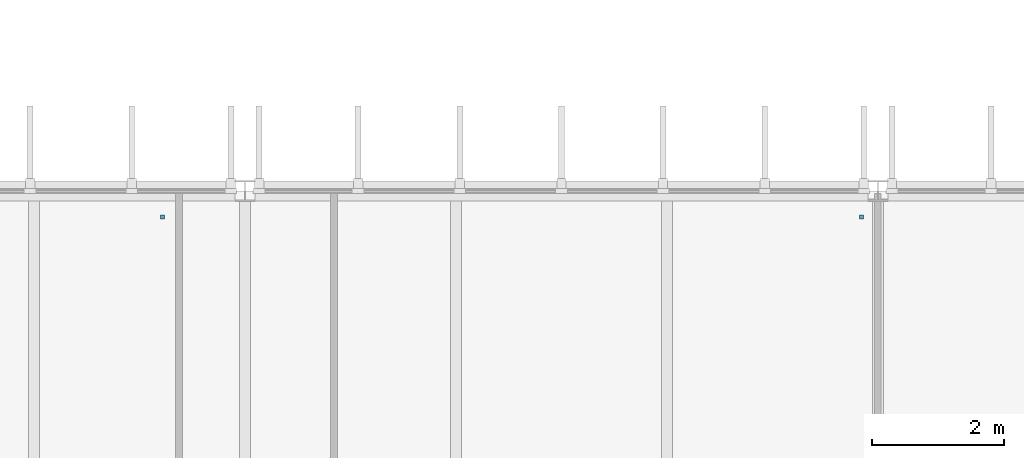
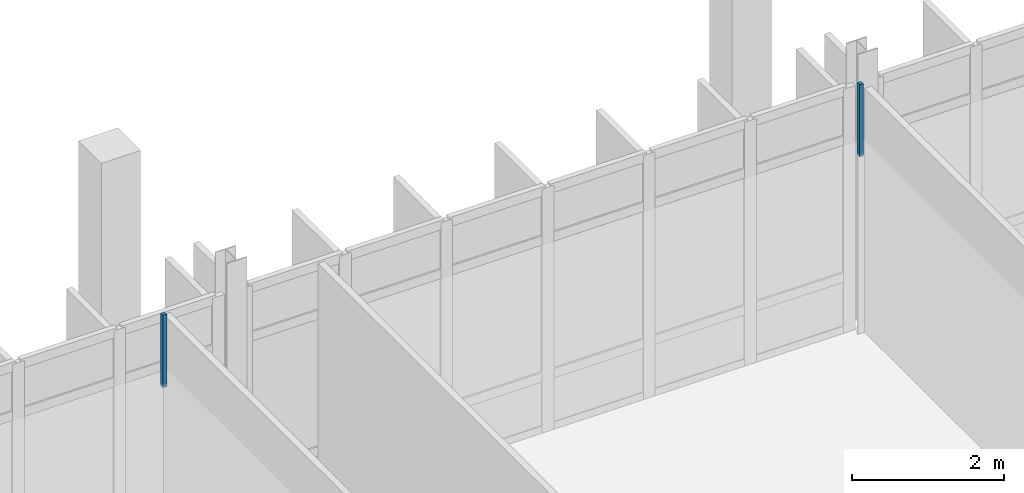
# One storey, part 78 of 110: 2 discrete accessories.
"""IFC4 building model written with IfcOpenShell, lengths in metres."""

from ifc_helpers import new_model, si_unit, direction, frame, origin, place, context, subcontext, project, spatial, polyline, outline, extrude, material, type_object, element, save


model = new_model("IFC4")

# Units and contexts
model_context = context("Model", 3, precision=1e-05, world=origin(), true_north=direction((0.0, 1.0)))
body_context = subcontext(model_context, "Body", "Model", "MODEL_VIEW")
ifc_project = project(units=[si_unit("LENGTHUNIT", "METRE"), si_unit("AREAUNIT", "SQUARE_METRE"), si_unit("VOLUMEUNIT", "CUBIC_METRE"), si_unit("PLANEANGLEUNIT", "RADIAN"), si_unit("MASSUNIT", "GRAM", prefix="KILO")], contexts=[model_context])

# Site, building, storey
site_placement = place(None, origin())
site = spatial("IfcSite", under=ifc_project, at=site_placement, CompositionType="ELEMENT")
building_placement = place(site_placement, origin())
building = spatial("IfcBuilding", under=site, at=building_placement, Name="Dunescarp Central Library", CompositionType="ELEMENT")
storey_placement = place(building_placement, frame((0.0, 0.0, 9.60009765625)))
storey = spatial("IfcBuildingStorey", under=building, at=storey_placement, Name="L02", CompositionType="ELEMENT", Elevation=9.60009765625)

# Discrete accessories
ifc_material = material(Name="Stainless steel Grade 316L", Category="steel")
discrete_accessory_type = type_object("IfcDiscreteAccessoryType", Name="ARC-ACC-BRK", PredefinedType="BRACKET", material=ifc_material)
discrete_accessory_1_placement = place(storey_placement, frame((0.0, 0.0, 3.059814453125)))
element("IfcDiscreteAccessory", 1, at=discrete_accessory_1_placement, inside=storey, type_object=discrete_accessory_type, Name="L02 ceiling hanger CLG-L02-063-H2", PredefinedType="BRACKET", context=body_context, shape_type="SweptSolid", body=[
    extrude(outline(polyline([(46.719970703125, 36.3798828125), (46.780029296875, 36.3798828125), (46.780029296875, 36.43994140625), (46.719970703125, 36.43994140625), (46.719970703125, 36.3798828125)])), origin(), (0.0, 0.0, 1.0), 1.16015625),
])
discrete_accessory_2_placement = place(storey_placement, frame((0.0, 0.0, 3.059814453125)))
element("IfcDiscreteAccessory", 2, at=discrete_accessory_2_placement, inside=storey, type_object=discrete_accessory_type, Name="L02 ceiling hanger CLG-L02-065-H2", PredefinedType="BRACKET", context=body_context, shape_type="SweptSolid", body=[
    extrude(outline(polyline([(57.320068359375, 36.3798828125), (57.3798828125, 36.3798828125), (57.3798828125, 36.43994140625), (57.320068359375, 36.43994140625), (57.320068359375, 36.3798828125)])), origin(), (0.0, 0.0, 1.0), 1.16015625),
])

save(model, "model.ifc")
